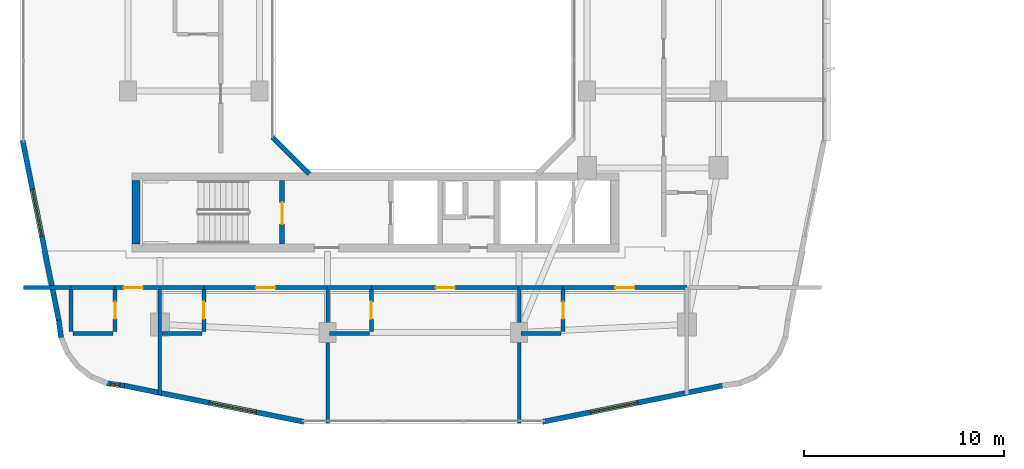
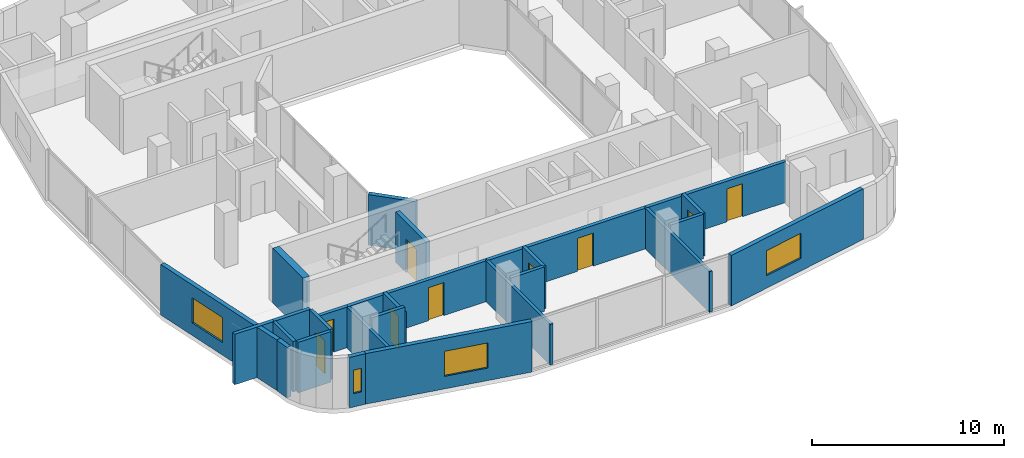
# One storey, part 12 of 26: 29 walls, 9 doors, 4 windows, 13 openings.
"""IFC4 building model written with IfcOpenShell, lengths in metres."""

from ifc_helpers import new_model, si_unit, derived_unit, direction, frame, frame_2d, origin, place, context, subcontext, project, spatial, rectangle, extrude, material, layer, layer_set, type_object, element, fill, save


model = new_model("IFC4")

# Units and contexts
model_context = context("Model", 3, precision=1e-05, world=origin(), true_north=direction((0.0, 1.0)))
body_context = subcontext(model_context, "Body", "Model", "MODEL_VIEW")
ifc_project = project(units=[si_unit("LENGTHUNIT", "METRE"), si_unit("AREAUNIT", "SQUARE_METRE"), si_unit("VOLUMEUNIT", "CUBIC_METRE"), si_unit("PLANEANGLEUNIT", "RADIAN"), si_unit("MASSUNIT", "GRAM", prefix="KILO"), derived_unit("THERMALTRANSMITTANCEUNIT", [(si_unit("POWERUNIT", "WATT"), 1), (si_unit("LENGTHUNIT", "METRE"), -2), (si_unit("THERMODYNAMICTEMPERATUREUNIT", "KELVIN"), -1)])], contexts=[model_context])

# Site, building, storey
site_placement = place(None, origin())
site = spatial("IfcSite", under=ifc_project, at=site_placement, CompositionType="ELEMENT")
building_placement = place(site_placement, origin())
building = spatial("IfcBuilding", under=site, at=building_placement, Name="Kivonza Crest Hotel", CompositionType="ELEMENT")
storey_placement = place(building_placement, frame((0.0, 0.0, 102.0)))
storey = spatial("IfcBuildingStorey", under=building, at=storey_placement, Name="L27", CompositionType="ELEMENT", Elevation=102.0)

# Walls
ifc_material_1 = material(Name="High-density acoustic masonry inter-tenancy wall", Category="masonry")
ifc_layer_1 = layer(ifc_material_1, 0.179931640625)
ifc_layer_set_1 = layer_set([ifc_layer_1], Name="High-density acoustic masonry inter-tenancy wall")
wall_type_1 = type_object("IfcWallType", Name="WL-ACOU-180", PredefinedType="SOLIDWALL", material=ifc_layer_set_1)
wall_1_placement = place(storey_placement, frame((7.800048828125, 6.299072265625, 0.0), z_axis=(0.0, 0.0, 1.0), x_axis=(0.0, 1.0, 0.0)))
element("IfcWall", 1, at=wall_1_placement, inside=storey, type_object=wall_type_1, Name="L27 interior partition WA-L27-T1S-DIV1", PredefinedType="SOLIDWALL", context=body_context, shape_type="SweptSolid", body=[
    extrude(rectangle(XDim=5.350830078125, YDim=0.179931640625, at=frame_2d((2.67529296875, 0.0))), origin(), (0.0, 0.0, 1.0), 2.594970703125),
])
for number, where, z_axis, x_axis, name in (
    (2, (16.199951171875, 4.860107421875, 0.0), (0.0, 0.0, 1.0), (0.0, 1.0, 0.0), "L27 interior partition WA-L27-T1S-DIV2"),
    (3, (25.800048828125, 4.860107421875, 0.0), (0.0, 0.0, 1.0), (0.0, 1.0, 0.0), "L27 interior partition WA-L27-T1S-DIV3"),
):
    element("IfcWall", number, at=place(storey_placement, frame(where, z_axis=z_axis, x_axis=x_axis)), inside=storey, type_object=wall_type_1, Name=name, PredefinedType="SOLIDWALL", context=body_context, shape_type="SweptSolid", body=[
        extrude(rectangle(XDim=6.789794921875, YDim=0.179931640625, at=frame_2d((3.39501953125, 0.0))), origin(), (0.0, 0.0, 1.0), 2.594970703125),
    ])
ifc_material_2 = material(Name="Autoclaved aerated concrete blockwork", Category="masonry")
ifc_layer_2 = layer(ifc_material_2, 0.219970703125)
ifc_layer_set_2 = layer_set([ifc_layer_2], Name="Autoclaved aerated concrete blockwork")
wall_type_2 = type_object("IfcWallType", Name="WL-ACOU-220", PredefinedType="SOLIDWALL", material=ifc_layer_set_2)
wall_2_placement = place(storey_placement, frame((0.9599609375, 11.64990234375, 0.0), z_axis=(0.0, 0.0, 1.0), x_axis=(1.0, 0.0, 0.0)))
element("IfcWall", 4, at=wall_2_placement, inside=storey, type_object=wall_type_2, Name="L27 interior partition WA-L27-S04-XCORR", PredefinedType="SOLIDWALL", context=body_context, shape_type="SweptSolid", body=[
    extrude(rectangle(XDim=2.39013671875, YDim=0.219970703125, at=frame_2d((1.195068359375, 0.0))), origin(), (0.0, 0.0, 1.0), 3.219970703125),
])
wall_3_placement = place(storey_placement, frame((3.35009765625, 11.64990234375, 0.0), z_axis=(0.0, 0.0, 1.0), x_axis=(1.0, 0.0, 0.0)))
element("IfcWall", 5, at=wall_3_placement, inside=storey, type_object=wall_type_2, Name="L27 interior partition WA-L27-S04-BCORR", PredefinedType="SOLIDWALL", context=body_context, shape_type="SweptSolid", body=[
    extrude(rectangle(XDim=2.199951171875, YDim=0.219970703125, at=frame_2d((1.10009765625, 0.0))), origin(), (0.0, 0.0, 1.0), 3.219970703125),
])

# Wall, opening, door
wall_4_placement = place(storey_placement, frame((5.550048828125, 11.64990234375, 0.0), z_axis=(0.0, 0.0, 1.0), x_axis=(1.0, 0.0, 0.0)))
wall_4 = element("IfcWall", 6, at=wall_4_placement, inside=storey, type_object=wall_type_2, Name="L27 interior partition WA-L27-S04-MCORR", PredefinedType="SOLIDWALL", context=body_context, shape_type="SweptSolid", body=[
    extrude(rectangle(XDim=2.25, YDim=0.219970703125, at=frame_2d((1.125, 0.0))), origin(), (0.0, 0.0, 1.0), 2.594970703125),
])
opening_1_placement = place(wall_4_placement, frame((0.43994140625, 0.0, 0.0)))
opening_1 = element("IfcOpeningElement", 7, at=opening_1_placement, cuts=wall_4, Name="Opening DU-60", PredefinedType="OPENING", context=body_context, shape_type="SweptSolid", body=[
    extrude(rectangle(XDim=0.949951171875, YDim=2.10009765625, at=frame_2d((0.47509765625, 1.050048828125))), frame((0.0, 0.1201171875, 0.0), z_axis=(0.0, -1.0, 0.0), x_axis=(1.0, 0.0, 0.0)), (0.0, 0.0, 1.0), 0.239990234375),
])
ifc_material_3 = material(Name="Hardwood timber oak", Category="wood")
door_type_1 = type_object("IfcDoorType", Name="DR-UNIT-950", OperationType="NOTDEFINED", PredefinedType="DOOR", material=ifc_material_3)
door_1_placement = place(opening_1_placement, frame((0.949951171875, 0.0, 0.0), z_axis=(0.0, 0.0, 1.0), x_axis=(-1.0, 0.0, 0.0)))
door_1 = element("IfcDoor", 8, at=door_1_placement, inside=storey, type_object=door_type_1, Name="L27 S04 guest unit entrance fire door", OperationType="SINGLE_SWING_RIGHT", OverallHeight=2.10009765625, OverallWidth=0.949951171875, PredefinedType="DOOR", context=body_context, shape_type="SweptSolid", body=[
    extrude(rectangle(XDim=0.949951171875, YDim=2.10009765625, at=frame_2d((0.47509765625, 1.050048828125))), frame((0.0, 0.02490234375, 0.0), z_axis=(0.0, -1.0, 0.0), x_axis=(1.0, 0.0, 0.0)), (0.0, 0.0, 1.0), 0.050048828125),
])
fill(opening_1, door_1)

# Wall
wall_5_placement = place(storey_placement, frame((7.800048828125, 11.64990234375, 0.0), z_axis=(0.0, 0.0, 1.0), x_axis=(1.0, 0.0, 0.0)))
element("IfcWall", 9, at=wall_5_placement, inside=storey, type_object=wall_type_2, Name="L27 interior partition WA-L27-S05-BCORR", PredefinedType="SOLIDWALL", context=body_context, shape_type="SweptSolid", body=[
    extrude(rectangle(XDim=2.199951171875, YDim=0.219970703125, at=frame_2d((1.10009765625, 0.0))), origin(), (0.0, 0.0, 1.0), 2.594970703125),
])

# Wall, opening, door
wall_6_placement = place(storey_placement, frame((10.0, 11.64990234375, 0.0), z_axis=(0.0, 0.0, 1.0), x_axis=(1.0, 0.0, 0.0)))
wall_6 = element("IfcWall", 10, at=wall_6_placement, inside=storey, type_object=wall_type_2, Name="L27 interior partition WA-L27-S05-MCORR", PredefinedType="SOLIDWALL", context=body_context, shape_type="SweptSolid", body=[
    extrude(rectangle(XDim=6.199951171875, YDim=0.219970703125, at=frame_2d((3.10009765625, 0.0))), origin(), (0.0, 0.0, 1.0), 2.594970703125),
])
opening_2_placement = place(wall_6_placement, frame((2.625, 0.0, 0.0)))
opening_2 = element("IfcOpeningElement", 11, at=opening_2_placement, cuts=wall_6, Name="Opening DU-60", PredefinedType="OPENING", context=body_context, shape_type="SweptSolid", body=[
    extrude(rectangle(XDim=0.949951171875, YDim=2.10009765625, at=frame_2d((0.47509765625, 1.050048828125))), frame((0.0, 0.1201171875, 0.0), z_axis=(0.0, -1.0, 0.0), x_axis=(1.0, 0.0, 0.0)), (0.0, 0.0, 1.0), 0.239990234375),
])
door_2_placement = place(opening_2_placement, frame((0.949951171875, 0.0, 0.0), z_axis=(0.0, 0.0, 1.0), x_axis=(-1.0, 0.0, 0.0)))
door_2 = element("IfcDoor", 12, at=door_2_placement, inside=storey, type_object=door_type_1, Name="L27 S05 guest unit entrance fire door", OperationType="SINGLE_SWING_LEFT", OverallHeight=2.10009765625, OverallWidth=0.949951171875, PredefinedType="DOOR", context=body_context, shape_type="SweptSolid", body=[
    extrude(rectangle(XDim=0.949951171875, YDim=2.10009765625, at=frame_2d((0.47509765625, 1.050048828125))), frame((0.0, 0.02490234375, 0.0), z_axis=(0.0, -1.0, 0.0), x_axis=(1.0, 0.0, 0.0)), (0.0, 0.0, 1.0), 0.050048828125),
])
fill(opening_2, door_2)

# Wall
wall_7_placement = place(storey_placement, frame((16.199951171875, 11.64990234375, 0.0), z_axis=(0.0, 0.0, 1.0), x_axis=(1.0, 0.0, 0.0)))
element("IfcWall", 13, at=wall_7_placement, inside=storey, type_object=wall_type_2, Name="L27 interior partition WA-L27-S06-BCORR", PredefinedType="SOLIDWALL", context=body_context, shape_type="SweptSolid", body=[
    extrude(rectangle(XDim=2.199951171875, YDim=0.219970703125, at=frame_2d((1.10009765625, 0.0))), origin(), (0.0, 0.0, 1.0), 2.594970703125),
])

# Wall, opening, door
wall_8_placement = place(storey_placement, frame((18.39990234375, 11.64990234375, 0.0), z_axis=(0.0, 0.0, 1.0), x_axis=(1.0, 0.0, 0.0)))
wall_8 = element("IfcWall", 14, at=wall_8_placement, inside=storey, type_object=wall_type_2, Name="L27 interior partition WA-L27-S06-MCORR", PredefinedType="SOLIDWALL", context=body_context, shape_type="SweptSolid", body=[
    extrude(rectangle(XDim=7.400146484375, YDim=0.219970703125, at=frame_2d((3.7001953125, 0.0))), origin(), (0.0, 0.0, 1.0), 2.594970703125),
])
opening_3_placement = place(wall_8_placement, frame((3.22509765625, 0.0, 0.0)))
opening_3 = element("IfcOpeningElement", 15, at=opening_3_placement, cuts=wall_8, Name="Opening DU-60", PredefinedType="OPENING", context=body_context, shape_type="SweptSolid", body=[
    extrude(rectangle(XDim=0.949951171875, YDim=2.10009765625, at=frame_2d((0.47509765625, 1.050048828125))), frame((0.0, 0.1201171875, 0.0), z_axis=(0.0, -1.0, 0.0), x_axis=(1.0, 0.0, 0.0)), (0.0, 0.0, 1.0), 0.239990234375),
])
door_3_placement = place(opening_3_placement, frame((0.949951171875, 0.0, 0.0), z_axis=(0.0, 0.0, 1.0), x_axis=(-1.0, 0.0, 0.0)))
door_3 = element("IfcDoor", 16, at=door_3_placement, inside=storey, type_object=door_type_1, Name="L27 S06 guest unit entrance fire door", OperationType="SINGLE_SWING_RIGHT", OverallHeight=2.10009765625, OverallWidth=0.949951171875, PredefinedType="DOOR", context=body_context, shape_type="SweptSolid", body=[
    extrude(rectangle(XDim=0.949951171875, YDim=2.10009765625, at=frame_2d((0.47509765625, 1.050048828125))), frame((0.0, 0.02490234375, 0.0), z_axis=(0.0, -1.0, 0.0), x_axis=(1.0, 0.0, 0.0)), (0.0, 0.0, 1.0), 0.050048828125),
])
fill(opening_3, door_3)

# Wall
wall_9_placement = place(storey_placement, frame((25.800048828125, 11.64990234375, 0.0), z_axis=(0.0, 0.0, 1.0), x_axis=(1.0, 0.0, 0.0)))
element("IfcWall", 17, at=wall_9_placement, inside=storey, type_object=wall_type_2, Name="L27 interior partition WA-L27-S07-BCORR", PredefinedType="SOLIDWALL", context=body_context, shape_type="SweptSolid", body=[
    extrude(rectangle(XDim=2.199951171875, YDim=0.219970703125, at=frame_2d((1.10009765625, 0.0))), origin(), (0.0, 0.0, 1.0), 2.594970703125),
])

# Wall, opening, door
wall_10_placement = place(storey_placement, frame((28.0, 11.64990234375, 0.0), z_axis=(0.0, 0.0, 1.0), x_axis=(1.0, 0.0, 0.0)))
wall_10 = element("IfcWall", 18, at=wall_10_placement, inside=storey, type_object=wall_type_2, Name="L27 interior partition WA-L27-S07-MCORR", PredefinedType="SOLIDWALL", context=body_context, shape_type="SweptSolid", body=[
    extrude(rectangle(XDim=6.199951171875, YDim=0.219970703125, at=frame_2d((3.10009765625, 0.0))), origin(), (0.0, 0.0, 1.0), 2.594970703125),
])
opening_4_placement = place(wall_10_placement, frame((2.625, 0.0, 0.0)))
opening_4 = element("IfcOpeningElement", 19, at=opening_4_placement, cuts=wall_10, Name="Opening DU-60", PredefinedType="OPENING", context=body_context, shape_type="SweptSolid", body=[
    extrude(rectangle(XDim=0.949951171875, YDim=2.10009765625, at=frame_2d((0.47509765625, 1.050048828125))), frame((0.0, 0.1201171875, 0.0), z_axis=(0.0, -1.0, 0.0), x_axis=(1.0, 0.0, 0.0)), (0.0, 0.0, 1.0), 0.239990234375),
])
door_4_placement = place(opening_4_placement, frame((0.949951171875, 0.0, 0.0), z_axis=(0.0, 0.0, 1.0), x_axis=(-1.0, 0.0, 0.0)))
door_4 = element("IfcDoor", 20, at=door_4_placement, inside=storey, type_object=door_type_1, Name="L27 S07 guest unit entrance fire door", OperationType="SINGLE_SWING_LEFT", OverallHeight=2.10009765625, OverallWidth=0.949951171875, PredefinedType="DOOR", context=body_context, shape_type="SweptSolid", body=[
    extrude(rectangle(XDim=0.949951171875, YDim=2.10009765625, at=frame_2d((0.47509765625, 1.050048828125))), frame((0.0, 0.02490234375, 0.0), z_axis=(0.0, -1.0, 0.0), x_axis=(1.0, 0.0, 0.0)), (0.0, 0.0, 1.0), 0.050048828125),
])
fill(opening_4, door_4)

# Walls
ifc_material_4 = material(Name="Concrete C50/60", Category="concrete")
ifc_layer_3 = layer(ifc_material_4, 0.39990234375)
ifc_layer_set_3 = layer_set([ifc_layer_3], Name="Concrete C50/60")
wall_type_3 = type_object("IfcWallType", Name="WL-CORE-400", PredefinedType="SHEAR", material=ifc_layer_set_3)
wall_11_placement = place(storey_placement, frame((6.60009765625, 13.840087890625, 0.0), z_axis=(0.0, 0.0, 1.0), x_axis=(0.0, 1.0, 0.0)))
element("IfcWall", 21, at=wall_11_placement, inside=storey, type_object=wall_type_3, Name="Core wall T1-S West L27", PredefinedType="SHEAR", context=body_context, shape_type="SweptSolid", body=[
    extrude(rectangle(XDim=3.159912109375, YDim=0.39990234375, at=frame_2d((1.580078125, 0.0))), origin(), (0.0, 0.0, 1.0), 3.5),
])
ifc_material_5 = material(Name="Precast concrete C40/50", Category="concrete")
ifc_layer_4 = layer(ifc_material_5, 0.260009765625)
ifc_layer_set_4 = layer_set([ifc_layer_4], Name="Precast concrete C40/50")
wall_type_4 = type_object("IfcWallType", Name="WL-EXT-260", PredefinedType="STANDARD", material=ifc_layer_set_4)
wall_12_placement = place(storey_placement, frame((2.72802734375, 10.02490234375, 0.0), z_axis=(0.0, 0.0, 1.0), x_axis=(0.130953706898, -0.991388484223, 0.0)))
element("IfcWall", 22, at=wall_12_placement, inside=storey, type_object=wall_type_4, Name="L27 T1 exterior insulated wall 1", PredefinedType="STANDARD", context=body_context, shape_type="SweptSolid", body=[
    extrude(rectangle(XDim=0.885498046875, YDim=0.260009765625, at=frame_2d((0.44287109375, 0.0))), origin(), (0.0, 0.0, 1.0), 3.219970703125),
])

# Wall, opening, window
wall_13_placement = place(storey_placement, frame((5.112060546875, 6.847900390625, 0.0), z_axis=(0.0, 0.0, 1.0), x_axis=(0.991487658083, -0.130200706103, 0.0)))
wall_13 = element("IfcWall", 23, at=wall_13_placement, inside=storey, type_object=wall_type_4, Name="L27 T1 exterior insulated wall 6", PredefinedType="STANDARD", context=body_context, shape_type="SweptSolid", body=[
    extrude(rectangle(XDim=0.920654296875, YDim=0.260009765625, at=frame_2d((0.46044921875, 0.0))), origin(), (0.0, 0.0, 1.0), 3.219970703125),
])
opening_5_placement = place(wall_13_placement, frame((0.235107421875, 0.0, 0.85009765625)))
opening_5 = element("IfcOpeningElement", 24, at=opening_5_placement, cuts=wall_13, Name="Opening WN-11", PredefinedType="OPENING", context=body_context, shape_type="SweptSolid", body=[
    extrude(rectangle(XDim=0.449951171875, YDim=1.5, at=frame_2d((0.22509765625, 0.75))), frame((0.0, 0.14013671875, 0.0), z_axis=(0.0, -1.0, 0.0), x_axis=(1.0, 0.0, 0.0)), (0.0, 0.0, 1.0), 0.280029296875),
])
ifc_material_6 = material(Name="Thermally broken bronze aluminium and low-E double glazing", Category="aluminium")
window_type_1 = type_object("IfcWindowType", Name="WN-045x150", PartitioningType="SINGLE_PANEL", PredefinedType="WINDOW", material=ifc_material_6)
window_1_placement = place(opening_5_placement, origin())
window_1 = element("IfcWindow", 25, at=window_1_placement, inside=storey, type_object=window_type_1, Name="L27 corner vision window 2", OverallHeight=1.5, OverallWidth=0.449951171875, PartitioningType="SINGLE_PANEL", PredefinedType="WINDOW", context=body_context, shape_type="SweptSolid", body=[
    extrude(rectangle(XDim=0.449951171875, YDim=1.5, at=frame_2d((0.22509765625, 0.75))), frame((0.0, 0.030029296875, 0.0), z_axis=(0.0, -1.0, 0.0), x_axis=(1.0, 0.0, 0.0)), (0.0, 0.0, 1.0), 0.06005859375),
])
fill(opening_5, window_1)

wall_14_placement = place(storey_placement, frame((6.01806640625, 6.72900390625, 0.0), z_axis=(0.0, 0.0, 1.0), x_axis=(0.980315963543, -0.197435082048, 0.0)))
wall_14 = element("IfcWall", 26, at=wall_14_placement, inside=storey, type_object=wall_type_4, Name="L27 T1 exterior insulated wall 7", PredefinedType="STANDARD", context=body_context, shape_type="SweptSolid", body=[
    extrude(rectangle(XDim=9.1826171875, YDim=0.260009765625, at=frame_2d((4.59130859375, 0.0))), origin(), (0.0, 0.0, 1.0), 3.219970703125),
])
opening_6_placement = place(wall_14_placement, frame((4.3369140625, 0.0, 0.800048828125)))
opening_6 = element("IfcOpeningElement", 27, at=opening_6_placement, cuts=wall_14, Name="Opening WN-05", PredefinedType="OPENING", context=body_context, shape_type="SweptSolid", body=[
    extrude(rectangle(XDim=2.39990234375, YDim=1.60009765625, at=frame_2d((1.199951171875, 0.800048828125))), frame((0.0, 0.14013671875, 0.0), z_axis=(0.0, -1.0, 0.0), x_axis=(1.0, 0.0, 0.0)), (0.0, 0.0, 1.0), 0.280029296875),
])
window_type_2 = type_object("IfcWindowType", Name="WN-240x160", PartitioningType="TRIPLE_PANEL_VERTICAL", PredefinedType="WINDOW", material=ifc_material_6)
window_2_placement = place(opening_6_placement, origin())
window_2 = element("IfcWindow", 28, at=window_2_placement, inside=storey, type_object=window_type_2, Name="L27 T1 facade window 7", OverallHeight=1.60009765625, OverallWidth=2.39990234375, PartitioningType="SINGLE_PANEL", PredefinedType="WINDOW", context=body_context, shape_type="SweptSolid", body=[
    extrude(rectangle(XDim=2.39990234375, YDim=1.60009765625, at=frame_2d((1.199951171875, 0.800048828125))), frame((0.0, 0.030029296875, 0.0), z_axis=(0.0, -1.0, 0.0), x_axis=(1.0, 0.0, 0.0)), (0.0, 0.0, 1.0), 0.06005859375),
])
fill(opening_6, window_2)

wall_15_placement = place(storey_placement, frame((26.97998046875, 4.916015625, 0.0), z_axis=(0.0, 0.0, 1.0), x_axis=(0.980315963543, 0.197435082048, 0.0)))
wall_15 = element("IfcWall", 29, at=wall_15_placement, inside=storey, type_object=wall_type_4, Name="L27 T1 exterior insulated wall 9", PredefinedType="STANDARD", context=body_context, shape_type="SweptSolid", body=[
    extrude(rectangle(XDim=9.1826171875, YDim=0.260009765625, at=frame_2d((4.59130859375, 0.0))), origin(), (0.0, 0.0, 1.0), 3.219970703125),
])
opening_7_placement = place(wall_15_placement, frame((2.445068359375, 0.0, 0.800048828125)))
opening_7 = element("IfcOpeningElement", 30, at=opening_7_placement, cuts=wall_15, Name="Opening WN-05", PredefinedType="OPENING", context=body_context, shape_type="SweptSolid", body=[
    extrude(rectangle(XDim=2.39990234375, YDim=1.60009765625, at=frame_2d((1.199951171875, 0.800048828125))), frame((0.0, 0.14013671875, 0.0), z_axis=(0.0, -1.0, 0.0), x_axis=(1.0, 0.0, 0.0)), (0.0, 0.0, 1.0), 0.280029296875),
])
window_3_placement = place(opening_7_placement, origin())
window_3 = element("IfcWindow", 31, at=window_3_placement, inside=storey, type_object=window_type_2, Name="L27 T1 facade window 9", OverallHeight=1.60009765625, OverallWidth=2.39990234375, PartitioningType="SINGLE_PANEL", PredefinedType="WINDOW", context=body_context, shape_type="SweptSolid", body=[
    extrude(rectangle(XDim=2.39990234375, YDim=1.60009765625, at=frame_2d((1.199951171875, 0.800048828125))), frame((0.0, 0.030029296875, 0.0), z_axis=(0.0, -1.0, 0.0), x_axis=(1.0, 0.0, 0.0)), (0.0, 0.0, 1.0), 0.06005859375),
])
fill(opening_7, window_3)

wall_16_placement = place(storey_placement, frame((0.916015625, 19.02001953125, 0.0), z_axis=(0.0, 0.0, 1.0), x_axis=(0.197435082048, -0.980315963543, 0.0)))
wall_16 = element("IfcWall", 32, at=wall_16_placement, inside=storey, type_object=wall_type_4, Name="L27 T1 exterior insulated wall 36", PredefinedType="STANDARD", context=body_context, shape_type="SweptSolid", body=[
    extrude(rectangle(XDim=9.1826171875, YDim=0.260009765625, at=frame_2d((4.59130859375, 0.0))), origin(), (0.0, 0.0, 1.0), 3.219970703125),
])
opening_8_placement = place(wall_16_placement, frame((2.4970703125, 0.0, 0.800048828125)))
opening_8 = element("IfcOpeningElement", 33, at=opening_8_placement, cuts=wall_16, Name="Opening WN-05", PredefinedType="OPENING", context=body_context, shape_type="SweptSolid", body=[
    extrude(rectangle(XDim=2.39990234375, YDim=1.60009765625, at=frame_2d((1.199951171875, 0.800048828125))), frame((0.0, 0.14013671875, 0.0), z_axis=(0.0, -1.0, 0.0), x_axis=(1.0, 0.0, 0.0)), (0.0, 0.0, 1.0), 0.280029296875),
])
window_4_placement = place(opening_8_placement, origin())
window_4 = element("IfcWindow", 34, at=window_4_placement, inside=storey, type_object=window_type_2, Name="L27 T1 facade window 36", OverallHeight=1.60009765625, OverallWidth=2.39990234375, PartitioningType="SINGLE_PANEL", PredefinedType="WINDOW", context=body_context, shape_type="SweptSolid", body=[
    extrude(rectangle(XDim=2.39990234375, YDim=1.60009765625, at=frame_2d((1.199951171875, 0.800048828125))), frame((0.0, 0.030029296875, 0.0), z_axis=(0.0, -1.0, 0.0), x_axis=(1.0, 0.0, 0.0)), (0.0, 0.0, 1.0), 0.06005859375),
])
fill(opening_8, window_4)

# Wall
wall_17_placement = place(storey_placement, frame((13.444091796875, 19.172119140625, 0.0), z_axis=(0.0, 0.0, 1.0), x_axis=(0.707059717605, -0.707153841636, 0.0)))
element("IfcWall", 35, at=wall_17_placement, inside=storey, type_object=wall_type_4, Name="L27 T1 light-well exterior wall 8", PredefinedType="STANDARD", context=body_context, shape_type="SweptSolid", body=[
    extrude(rectangle(XDim=2.59375, YDim=0.260009765625, at=frame_2d((1.296875, 0.0))), origin(), (0.0, 0.0, 1.0), 3.219970703125),
])

# Wall, opening, door
ifc_material_7 = material(Name="Moisture-resistant plumbing chase partition wall", Category="gypsum")
ifc_layer_5 = layer(ifc_material_7, 0.199951171875)
ifc_layer_set_5 = layer_set([ifc_layer_5], Name="Moisture-resistant plumbing chase partition wall")
wall_type_5 = type_object("IfcWallType", Name="WL-PLUMB-200", PredefinedType="PLUMBINGWALL", material=ifc_layer_set_5)
wall_18_placement = place(storey_placement, frame((5.550048828125, 9.449951171875, 0.0), z_axis=(0.0, 0.0, 1.0), x_axis=(0.0, 1.0, 0.0)))
wall_18 = element("IfcWall", 36, at=wall_18_placement, inside=storey, type_object=wall_type_5, Name="L27 interior partition WW-L27-S04-BV", PredefinedType="PLUMBINGWALL", context=body_context, shape_type="SweptSolid", body=[
    extrude(rectangle(XDim=2.10009765625, YDim=0.199951171875, at=frame_2d((1.050048828125, 0.0))), origin(), (0.0, 0.0, 1.0), 3.219970703125),
])
opening_9_placement = place(wall_18_placement, frame((0.625, 0.0, 0.0)))
opening_9 = element("IfcOpeningElement", 37, at=opening_9_placement, cuts=wall_18, Name="Opening DI-85", PredefinedType="OPENING", context=body_context, shape_type="SweptSolid", body=[
    extrude(rectangle(XDim=0.85009765625, YDim=2.10009765625, at=frame_2d((0.425048828125, 1.050048828125))), frame((0.0, 0.10986328125, 0.0), z_axis=(0.0, -1.0, 0.0), x_axis=(1.0, 0.0, 0.0)), (0.0, 0.0, 1.0), 0.219970703125),
])
door_type_2 = type_object("IfcDoorType", Name="DR-INT-850", OperationType="NOTDEFINED", PredefinedType="DOOR", material=ifc_material_3)
door_5_placement = place(opening_9_placement, frame((0.85009765625, 0.0, 0.0), z_axis=(0.0, 0.0, 1.0), x_axis=(-1.0, 0.0, 0.0)))
door_5 = element("IfcDoor", 38, at=door_5_placement, inside=storey, type_object=door_type_2, Name="L27 S04 en-suite bathroom door", OperationType="SINGLE_SWING_LEFT", OverallHeight=2.10009765625, OverallWidth=0.85009765625, PredefinedType="DOOR", context=body_context, shape_type="SweptSolid", body=[
    extrude(rectangle(XDim=0.85009765625, YDim=2.10009765625, at=frame_2d((0.425048828125, 1.050048828125))), frame((0.0, 0.02490234375, 0.0), z_axis=(0.0, -1.0, 0.0), x_axis=(1.0, 0.0, 0.0)), (0.0, 0.0, 1.0), 0.050048828125),
])
fill(opening_9, door_5)

# Walls
wall_19_placement = place(storey_placement, frame((3.449951171875, 9.35009765625, 0.0), z_axis=(0.0, 0.0, 1.0), x_axis=(1.0, 0.0, 0.0)))
element("IfcWall", 39, at=wall_19_placement, inside=storey, type_object=wall_type_5, Name="L27 interior partition WW-L27-S04-BH", PredefinedType="PLUMBINGWALL", context=body_context, shape_type="SweptSolid", body=[
    extrude(rectangle(XDim=2.0, YDim=0.199951171875, at=frame_2d((1.0, 0.0))), origin(), (0.0, 0.0, 1.0), 3.219970703125),
])
wall_20_placement = place(storey_placement, frame((3.35009765625, 9.449951171875, 0.0), z_axis=(0.0, 0.0, 1.0), x_axis=(0.0, 1.0, 0.0)))
element("IfcWall", 40, at=wall_20_placement, inside=storey, type_object=wall_type_5, Name="L27 interior partition WW-L27-S04-BVW", PredefinedType="PLUMBINGWALL", context=body_context, shape_type="SweptSolid", body=[
    extrude(rectangle(XDim=2.10009765625, YDim=0.199951171875, at=frame_2d((1.050048828125, 0.0))), origin(), (0.0, 0.0, 1.0), 3.219970703125),
])

# Wall, opening, door
wall_21_placement = place(storey_placement, frame((10.0, 9.449951171875, 0.0), z_axis=(0.0, 0.0, 1.0), x_axis=(0.0, 1.0, 0.0)))
wall_21 = element("IfcWall", 41, at=wall_21_placement, inside=storey, type_object=wall_type_5, Name="L27 interior partition WW-L27-S05-BV", PredefinedType="PLUMBINGWALL", context=body_context, shape_type="SweptSolid", body=[
    extrude(rectangle(XDim=2.10009765625, YDim=0.199951171875, at=frame_2d((1.050048828125, 0.0))), origin(), (0.0, 0.0, 1.0), 2.7451171875),
])
opening_10_placement = place(wall_21_placement, frame((0.625, 0.0, 0.0)))
opening_10 = element("IfcOpeningElement", 42, at=opening_10_placement, cuts=wall_21, Name="Opening DI-85", PredefinedType="OPENING", context=body_context, shape_type="SweptSolid", body=[
    extrude(rectangle(XDim=0.85009765625, YDim=2.10009765625, at=frame_2d((0.425048828125, 1.050048828125))), frame((0.0, 0.10986328125, 0.0), z_axis=(0.0, -1.0, 0.0), x_axis=(1.0, 0.0, 0.0)), (0.0, 0.0, 1.0), 0.219970703125),
])
door_6_placement = place(opening_10_placement, frame((0.85009765625, 0.0, 0.0), z_axis=(0.0, 0.0, 1.0), x_axis=(-1.0, 0.0, 0.0)))
door_6 = element("IfcDoor", 43, at=door_6_placement, inside=storey, type_object=door_type_2, Name="L27 S05 en-suite bathroom door", OperationType="SINGLE_SWING_RIGHT", OverallHeight=2.10009765625, OverallWidth=0.85009765625, PredefinedType="DOOR", context=body_context, shape_type="SweptSolid", body=[
    extrude(rectangle(XDim=0.85009765625, YDim=2.10009765625, at=frame_2d((0.425048828125, 1.050048828125))), frame((0.0, 0.02490234375, 0.0), z_axis=(0.0, -1.0, 0.0), x_axis=(1.0, 0.0, 0.0)), (0.0, 0.0, 1.0), 0.050048828125),
])
fill(opening_10, door_6)

# Wall
wall_22_placement = place(storey_placement, frame((7.89990234375, 9.35009765625, 0.0), z_axis=(0.0, 0.0, 1.0), x_axis=(1.0, 0.0, 0.0)))
element("IfcWall", 44, at=wall_22_placement, inside=storey, type_object=wall_type_5, Name="L27 interior partition WW-L27-S05-BH", PredefinedType="PLUMBINGWALL", context=body_context, shape_type="SweptSolid", body=[
    extrude(rectangle(XDim=2.0, YDim=0.199951171875, at=frame_2d((1.0, 0.0))), origin(), (0.0, 0.0, 1.0), 3.219970703125),
])

# Wall, opening, door
wall_23_placement = place(storey_placement, frame((18.39990234375, 9.449951171875, 0.0), z_axis=(0.0, 0.0, 1.0), x_axis=(0.0, 1.0, 0.0)))
wall_23 = element("IfcWall", 45, at=wall_23_placement, inside=storey, type_object=wall_type_5, Name="L27 interior partition WW-L27-S06-BV", PredefinedType="PLUMBINGWALL", context=body_context, shape_type="SweptSolid", body=[
    extrude(rectangle(XDim=2.10009765625, YDim=0.199951171875, at=frame_2d((1.050048828125, 0.0))), origin(), (0.0, 0.0, 1.0), 2.7451171875),
])
opening_11_placement = place(wall_23_placement, frame((0.625, 0.0, 0.0)))
opening_11 = element("IfcOpeningElement", 46, at=opening_11_placement, cuts=wall_23, Name="Opening DI-85", PredefinedType="OPENING", context=body_context, shape_type="SweptSolid", body=[
    extrude(rectangle(XDim=0.85009765625, YDim=2.10009765625, at=frame_2d((0.425048828125, 1.050048828125))), frame((0.0, 0.10986328125, 0.0), z_axis=(0.0, -1.0, 0.0), x_axis=(1.0, 0.0, 0.0)), (0.0, 0.0, 1.0), 0.219970703125),
])
door_7_placement = place(opening_11_placement, frame((0.85009765625, 0.0, 0.0), z_axis=(0.0, 0.0, 1.0), x_axis=(-1.0, 0.0, 0.0)))
door_7 = element("IfcDoor", 47, at=door_7_placement, inside=storey, type_object=door_type_2, Name="L27 S06 en-suite bathroom door", OperationType="SINGLE_SWING_LEFT", OverallHeight=2.10009765625, OverallWidth=0.85009765625, PredefinedType="DOOR", context=body_context, shape_type="SweptSolid", body=[
    extrude(rectangle(XDim=0.85009765625, YDim=2.10009765625, at=frame_2d((0.425048828125, 1.050048828125))), frame((0.0, 0.02490234375, 0.0), z_axis=(0.0, -1.0, 0.0), x_axis=(1.0, 0.0, 0.0)), (0.0, 0.0, 1.0), 0.050048828125),
])
fill(opening_11, door_7)

# Wall
wall_24_placement = place(storey_placement, frame((16.300048828125, 9.35009765625, 0.0), z_axis=(0.0, 0.0, 1.0), x_axis=(1.0, 0.0, 0.0)))
element("IfcWall", 48, at=wall_24_placement, inside=storey, type_object=wall_type_5, Name="L27 interior partition WW-L27-S06-BH", PredefinedType="PLUMBINGWALL", context=body_context, shape_type="SweptSolid", body=[
    extrude(rectangle(XDim=2.0, YDim=0.199951171875, at=frame_2d((1.0, 0.0))), origin(), (0.0, 0.0, 1.0), 2.8349609375),
])

# Wall, opening, door
wall_25_placement = place(storey_placement, frame((28.0, 9.449951171875, 0.0), z_axis=(0.0, 0.0, 1.0), x_axis=(0.0, 1.0, 0.0)))
wall_25 = element("IfcWall", 49, at=wall_25_placement, inside=storey, type_object=wall_type_5, Name="L27 interior partition WW-L27-S07-BV", PredefinedType="PLUMBINGWALL", context=body_context, shape_type="SweptSolid", body=[
    extrude(rectangle(XDim=2.10009765625, YDim=0.199951171875, at=frame_2d((1.050048828125, 0.0))), origin(), (0.0, 0.0, 1.0), 2.7451171875),
])
opening_12_placement = place(wall_25_placement, frame((0.625, 0.0, 0.0)))
opening_12 = element("IfcOpeningElement", 50, at=opening_12_placement, cuts=wall_25, Name="Opening DI-85", PredefinedType="OPENING", context=body_context, shape_type="SweptSolid", body=[
    extrude(rectangle(XDim=0.85009765625, YDim=2.10009765625, at=frame_2d((0.425048828125, 1.050048828125))), frame((0.0, 0.10986328125, 0.0), z_axis=(0.0, -1.0, 0.0), x_axis=(1.0, 0.0, 0.0)), (0.0, 0.0, 1.0), 0.219970703125),
])
door_8_placement = place(opening_12_placement, frame((0.85009765625, 0.0, 0.0), z_axis=(0.0, 0.0, 1.0), x_axis=(-1.0, 0.0, 0.0)))
door_8 = element("IfcDoor", 51, at=door_8_placement, inside=storey, type_object=door_type_2, Name="L27 S07 en-suite bathroom door", OperationType="SINGLE_SWING_RIGHT", OverallHeight=2.10009765625, OverallWidth=0.85009765625, PredefinedType="DOOR", context=body_context, shape_type="SweptSolid", body=[
    extrude(rectangle(XDim=0.85009765625, YDim=2.10009765625, at=frame_2d((0.425048828125, 1.050048828125))), frame((0.0, 0.02490234375, 0.0), z_axis=(0.0, -1.0, 0.0), x_axis=(1.0, 0.0, 0.0)), (0.0, 0.0, 1.0), 0.050048828125),
])
fill(opening_12, door_8)

# Wall
wall_26_placement = place(storey_placement, frame((25.89990234375, 9.35009765625, 0.0), z_axis=(0.0, 0.0, 1.0), x_axis=(1.0, 0.0, 0.0)))
element("IfcWall", 52, at=wall_26_placement, inside=storey, type_object=wall_type_5, Name="L27 interior partition WW-L27-S07-BH", PredefinedType="PLUMBINGWALL", context=body_context, shape_type="SweptSolid", body=[
    extrude(rectangle(XDim=2.0, YDim=0.199951171875, at=frame_2d((1.0, 0.0))), origin(), (0.0, 0.0, 1.0), 2.8349609375),
])

# Wall, opening, door
ifc_layer_6 = layer(ifc_material_4, 0.25)
ifc_layer_set_6 = layer_set([ifc_layer_6], Name="Concrete C50/60")
wall_type_6 = type_object("IfcWallType", Name="WL-SHAFT-250", PredefinedType="STANDARD", material=ifc_layer_set_6)
wall_27_placement = place(storey_placement, frame((13.925048828125, 13.840087890625, 0.0), z_axis=(0.0, 0.0, 1.0), x_axis=(0.0, 1.0, 0.0)))
wall_27 = element("IfcWall", 53, at=wall_27_placement, inside=storey, type_object=wall_type_6, Name="Core shaft wall T1-S STAIR L27", PredefinedType="STANDARD", context=body_context, shape_type="SweptSolid", body=[
    extrude(rectangle(XDim=3.159912109375, YDim=0.25, at=frame_2d((1.580078125, 0.0))), origin(), (0.0, 0.0, 1.0), 3.219970703125),
])
opening_13_placement = place(wall_27_placement, frame((0.97998046875, 0.0, 0.0)))
opening_13 = element("IfcOpeningElement", 54, at=opening_13_placement, cuts=wall_27, Name="Opening DF-120", PredefinedType="OPENING", context=body_context, shape_type="SweptSolid", body=[
    extrude(rectangle(XDim=1.10009765625, YDim=2.14990234375, at=frame_2d((0.550048828125, 1.074951171875))), frame((0.0, 0.135009765625, 0.0), z_axis=(0.0, -1.0, 0.0), x_axis=(1.0, 0.0, 0.0)), (0.0, 0.0, 1.0), 0.27001953125),
])
ifc_material_8 = material(Name="Galvanised steel", Category="steel")
door_type_3 = type_object("IfcDoorType", Name="DR-FD120-1100", OperationType="NOTDEFINED", PredefinedType="DOOR", material=ifc_material_8)
door_9_placement = place(opening_13_placement, frame((1.10009765625, 0.0, 0.0), z_axis=(0.0, 0.0, 1.0), x_axis=(-1.0, 0.0, 0.0)))
door_9 = element("IfcDoor", 55, at=door_9_placement, inside=storey, type_object=door_type_3, Name="L27 T1-S stair fire door", OperationType="SINGLE_SWING_RIGHT", OverallHeight=2.14990234375, OverallWidth=1.10009765625, PredefinedType="DOOR", context=body_context, shape_type="SweptSolid", body=[
    extrude(rectangle(XDim=1.10009765625, YDim=2.14990234375, at=frame_2d((0.550048828125, 1.074951171875))), frame((0.0, 0.02490234375, 0.0), z_axis=(0.0, -1.0, 0.0), x_axis=(1.0, 0.0, 0.0)), (0.0, 0.0, 1.0), 0.050048828125),
])
fill(opening_13, door_9)

save(model, "model.ifc")
